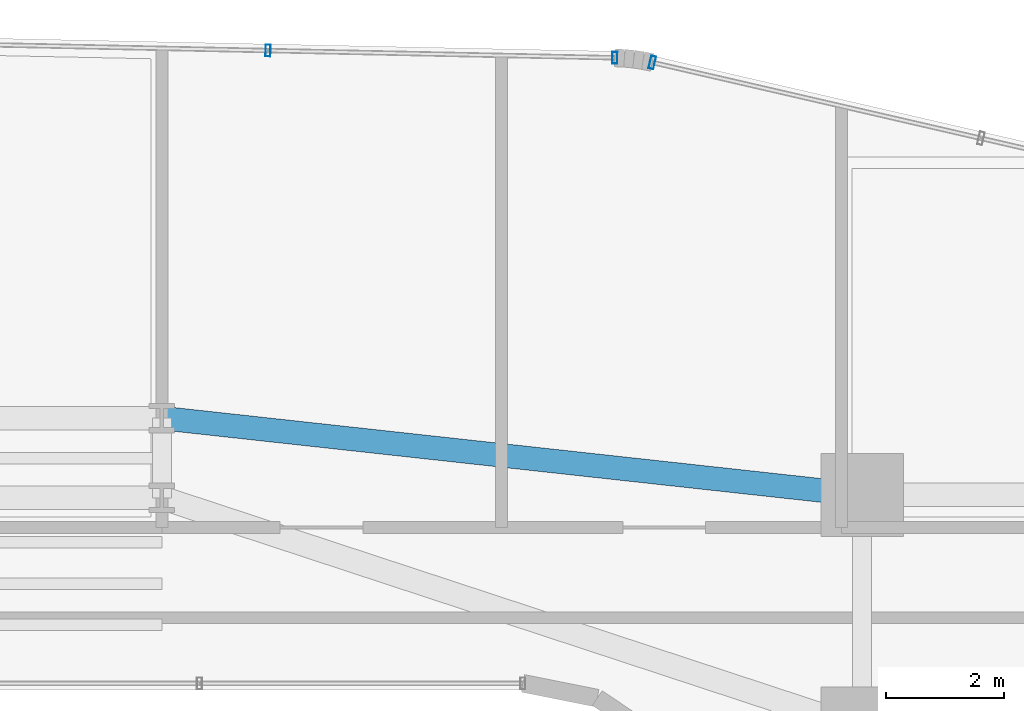
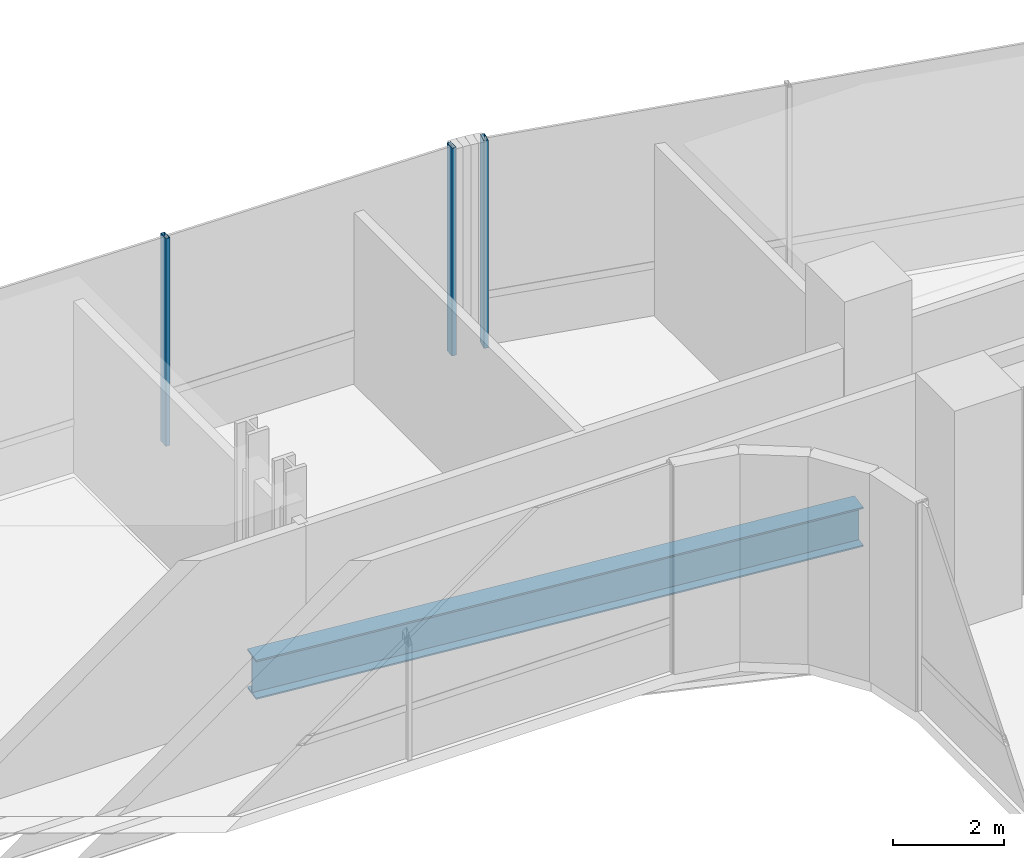
# One storey, part 27 of 39: 3 members, 1 beam, 2 elements without a shape of their own.
"""IFC4 building model written with IfcOpenShell, lengths in metres."""

from ifc_helpers import new_model, si_unit, direction, frame, origin, origin_2d, place, context, subcontext, project, spatial, hollow_rectangle, i_section, extrude, source, transform, mapped, material, material_profile, profile_set, type_object, element, aggregate, save


model = new_model("IFC4")

# Units and contexts
model_context = context("Model", 3, precision=1e-05, world=origin(), true_north=direction((0.0, 1.0)))
body_context = subcontext(model_context, "Body", "Model", "MODEL_VIEW")
ifc_project = project(units=[si_unit("LENGTHUNIT", "METRE"), si_unit("AREAUNIT", "SQUARE_METRE"), si_unit("VOLUMEUNIT", "CUBIC_METRE"), si_unit("PLANEANGLEUNIT", "RADIAN"), si_unit("MASSUNIT", "GRAM", prefix="KILO")], contexts=[model_context])

# Site, building, storey
site_placement = place(None, origin())
site = spatial("IfcSite", under=ifc_project, at=site_placement, CompositionType="ELEMENT")
building_placement = place(site_placement, origin())
building = spatial("IfcBuilding", under=site, at=building_placement, Name="Valdorenza Pilgrim Sanctuary Tower", CompositionType="ELEMENT")
storey_placement = place(building_placement, frame((0.0, 0.0, 96.300048828125)))
storey = spatial("IfcBuildingStorey", under=building, at=storey_placement, Name="L24", CompositionType="ELEMENT", Elevation=96.300048828125)

# Beam
ifc_material_1 = material(Name="Steel ASTM A992 Grade 50", Category="steel")
ifc_material_profile_1 = material_profile(ifc_material_1, i_section(OverallWidth=0.39990234375, OverallDepth=0.862060546875, WebThickness=0.019775390625, FlangeThickness=0.032470703125, at=origin_2d()), Name="W33X221")
ifc_profile_set_1 = profile_set([ifc_material_profile_1], Name="Steel ASTM A992 Grade 50")
beam_type = type_object("IfcBeamType", Name="STR-BM-GRD-W33", PredefinedType="BEAM", material=ifc_profile_set_1)
shared_shape_1 = source(origin(), body_context, "Body", "SweptSolid", [
    extrude(i_section(OverallWidth=0.39990234375, OverallDepth=0.862060546875, WebThickness=0.019775390625, FlangeThickness=0.032470703125, at=origin_2d()), origin(), (0.0, 0.0, 1.0), 11.921142578125),
])
beam_placement = place(storey_placement, frame((4.0, 14.800048828125, -0.671142578125), z_axis=(0.994035876607, -0.10905354656, 0.0), x_axis=(0.10905354656, 0.994035876607, 0.0)))
element("IfcBeam", 1, at=beam_placement, inside=storey, type_object=beam_type, Name="L24 Floor Girder KNK-G6", PredefinedType="BEAM", context=body_context, shape_type="MappedRepresentation", body=[
    mapped(shared_shape_1, transform((0.0, 0.0, 0.0), x_axis=(1.0, 0.0, 0.0), y_axis=(0.0, 1.0, 0.0), z_axis=(0.0, 0.0, 1.0), scale=1.0)),
])

# Curtain wall, members
ifc_material_2 = material(Name="Curtain-wall IGU glazing", Category="glass")
curtain_wall_type_1 = type_object("IfcCurtainWallType", Name="CW-SYS-02", PredefinedType="NOTDEFINED", material=ifc_material_2)
curtain_wall_1_placement = place(storey_placement, origin())
curtain_wall_1 = element("IfcCurtainWall", 2, at=curtain_wall_1_placement, inside=storey, type_object=curtain_wall_type_1, Name="L24 Curtain Wall CW-L24-1-11", PredefinedType="NOTDEFINED")
ifc_material_3 = material(Name="Anodised aluminium AW-6060", Category="aluminium")
ifc_material_profile_2 = material_profile(ifc_material_3, hollow_rectangle(XDim=0.0849609375, YDim=0.199951171875, WallThickness=0.0048828125, at=origin_2d()), Name="ALU-M 200x85x5")
ifc_profile_set_2 = profile_set([ifc_material_profile_2], Name="Anodised aluminium AW-6060")
member_type_1 = type_object("IfcMemberType", Name="CW-MUL-02", PredefinedType="MULLION", material=ifc_profile_set_2)
shared_shape_2 = source(origin(), body_context, "Body", "SweptSolid", [
    extrude(hollow_rectangle(XDim=0.0849609375, YDim=0.199951171875, WallThickness=0.0048828125, at=origin_2d()), origin(), (0.0, 0.0, 1.0), 4.56005859375),
])
member_1_placement = place(storey_placement, frame((5.797119140625, 21.019287109375, 0.0), z_axis=(0.0, 0.0, 1.0), x_axis=(0.999783234613, -0.020820273474, 0.0)))
member_1 = element("IfcMember", 3, at=member_1_placement, type_object=member_type_1, Name="CW-L24-1-11 Mullion 4", PredefinedType="MULLION", context=body_context, shape_type="MappedRepresentation", body=[
    mapped(shared_shape_2, transform((0.0, 0.0, 0.0), x_axis=(1.0, 0.0, 0.0), y_axis=(0.0, 1.0, 0.0), z_axis=(0.0, 0.0, 1.0), scale=1.0)),
])
member_2_placement = place(storey_placement, frame((11.665771484375, 20.89697265625, 0.0), z_axis=(0.0, 0.0, 1.0), x_axis=(0.999783234613, -0.020820273474, 0.0)))
member_2 = element("IfcMember", 4, at=member_2_placement, type_object=member_type_1, Name="CW-L24-1-11 Mullion 5", PredefinedType="MULLION", context=body_context, shape_type="MappedRepresentation", body=[
    mapped(shared_shape_2, transform((0.0, 0.0, 0.0), x_axis=(1.0, 0.0, 0.0), y_axis=(0.0, 1.0, 0.0), z_axis=(0.0, 0.0, 1.0), scale=1.0)),
])
aggregate(curtain_wall_1, [member_1, member_2])

# Curtain wall, member
curtain_wall_type_2 = type_object("IfcCurtainWallType", Name="CW-SYS-03", PredefinedType="NOTDEFINED", material=ifc_material_2)
curtain_wall_2_placement = place(storey_placement, origin())
curtain_wall_2 = element("IfcCurtainWall", 5, at=curtain_wall_2_placement, inside=storey, type_object=curtain_wall_type_2, Name="L24 Curtain Wall CW-L24-1-16", PredefinedType="NOTDEFINED")
ifc_material_profile_3 = material_profile(ifc_material_3, hollow_rectangle(XDim=0.0849609375, YDim=0.219970703125, WallThickness=0.0048828125, at=origin_2d()), Name="ALU-M 220x85x5")
ifc_profile_set_3 = profile_set([ifc_material_profile_3], Name="Anodised aluminium AW-6060")
member_type_2 = type_object("IfcMemberType", Name="CW-MUL-03", PredefinedType="MULLION", material=ifc_profile_set_3)
shared_shape_3 = source(origin(), body_context, "Body", "SweptSolid", [
    extrude(hollow_rectangle(XDim=0.0849609375, YDim=0.219970703125, WallThickness=0.0048828125, at=origin_2d()), origin(), (0.0, 0.0, 1.0), 4.56005859375),
])
member_3_placement = place(storey_placement, frame((12.299072265625, 20.818115234375, 0.0), z_axis=(0.0, 0.0, 1.0), x_axis=(0.974389691758, -0.224866023659, 0.0)))
member_3 = element("IfcMember", 6, at=member_3_placement, type_object=member_type_2, Name="CW-L24-1-16 Mullion 1", PredefinedType="MULLION", context=body_context, shape_type="MappedRepresentation", body=[
    mapped(shared_shape_3, transform((0.0, 0.0, 0.0), x_axis=(1.0, 0.0, 0.0), y_axis=(0.0, 1.0, 0.0), z_axis=(0.0, 0.0, 1.0), scale=1.0)),
])
aggregate(curtain_wall_2, [member_3])

save(model, "model.ifc")
